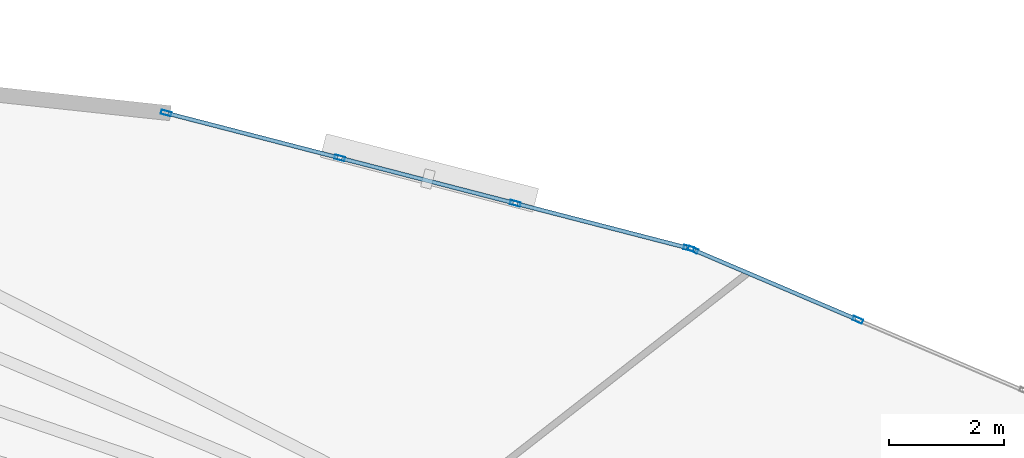
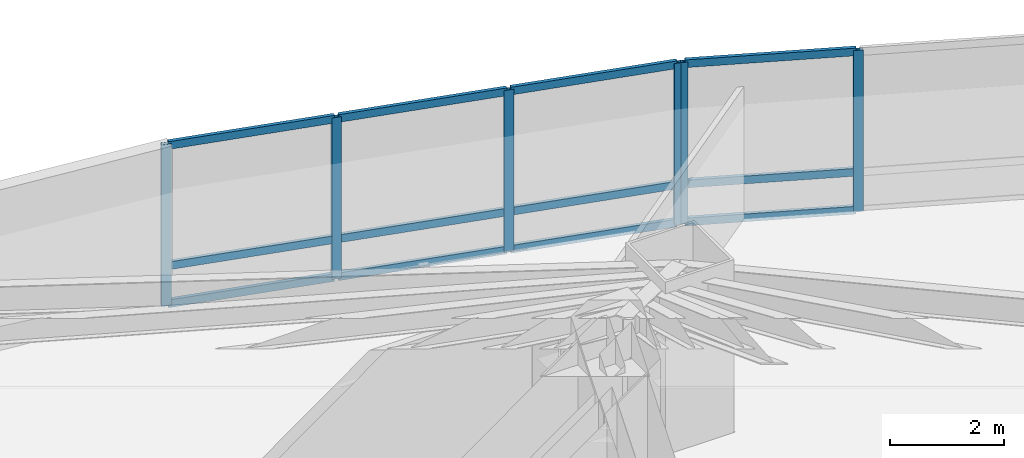
# One storey, part 10 of 20: 18 members, 2 elements without a shape of their own.
"""IFC4 building model written with IfcOpenShell, lengths in metres."""

from ifc_helpers import new_model, si_unit, direction, frame, origin, origin_2d, place, context, subcontext, project, spatial, hollow_rectangle, extrude, material, layer, layer_set, material_profile, profile_set, type_object, element, aggregate, save


model = new_model("IFC4")

# Units and contexts
model_context = context("Model", 3, precision=1e-05, world=origin(), true_north=direction((0.0, 1.0)))
body_context = subcontext(model_context, "Body", "Model", "MODEL_VIEW")
ifc_project = project(units=[si_unit("LENGTHUNIT", "METRE"), si_unit("AREAUNIT", "SQUARE_METRE"), si_unit("VOLUMEUNIT", "CUBIC_METRE"), si_unit("PLANEANGLEUNIT", "RADIAN"), si_unit("MASSUNIT", "GRAM", prefix="KILO")], contexts=[model_context])

# Site, building, storey
site_placement = place(None, origin())
site = spatial("IfcSite", under=ifc_project, at=site_placement, CompositionType="ELEMENT")
building_placement = place(site_placement, origin())
building = spatial("IfcBuilding", under=site, at=building_placement, Name="Menara Vayukalpa", CompositionType="ELEMENT")
storey_placement = place(building_placement, frame((0.0, 0.0, 61.080078125)))
storey = spatial("IfcBuildingStorey", under=building, at=storey_placement, Name="L14", CompositionType="ELEMENT", Elevation=61.080078125)

# Curtain wall, members
ifc_material_1 = material(Name="Anodised Terracotta Aluminium Alloy 6063-T6", Category="masonry")
ifc_layer = layer(ifc_material_1, 0.179931640625)
ifc_layer_set = layer_set([ifc_layer], Name="Anodised Terracotta Aluminium Alloy 6063-T6")
curtain_wall_type = type_object("IfcCurtainWallType", Name="CW-CW4", PredefinedType="USERDEFINED", material=ifc_layer_set)
curtain_wall_1_placement = place(storey_placement, origin())
curtain_wall_1 = element("IfcCurtainWall", 1, at=curtain_wall_1_placement, inside=storey, type_object=curtain_wall_type, Name="L14 Sky Bar Cantilever Glazed Curtain Wall CW4 04", ObjectType="UNITISED", PredefinedType="USERDEFINED")
ifc_material_2 = material(Name="Anodised Terracotta Aluminium Alloy 6063-T6", Category="masonry")
ifc_material_profile_1 = material_profile(ifc_material_2, hollow_rectangle(XDim=0.074951171875, YDim=0.179931640625, WallThickness=0.00390625, at=origin_2d()), Name="ALU 75x180x4")
ifc_profile_set_1 = profile_set([ifc_material_profile_1], Name="Anodised Terracotta Aluminium Alloy 6063-T6")
member_type_1 = type_object("IfcMemberType", Name="CWM-CW4", PredefinedType="MULLION", material=ifc_profile_set_1)
member_1_placement = place(storey_placement, frame((41.3125, 31.973388671875, 0.0), z_axis=(0.0, 0.0, 1.0), x_axis=(-0.392008132718, -0.919961751315, 0.0)))
member_1 = element("IfcMember", 2, at=member_1_placement, type_object=member_type_1, Name="CW4 mullion 3", PredefinedType="MULLION", context=body_context, shape_type="SweptSolid", body=[
    extrude(hollow_rectangle(XDim=0.074951171875, YDim=0.179931640625, WallThickness=0.00390625, at=origin_2d()), origin(), (0.0, 0.0, 1.0), 3.469970703125),
])
member_2_placement = place(storey_placement, frame((38.45458984375, 33.19140625, 0.0), z_axis=(0.0, 0.0, 1.0), x_axis=(-0.392008132718, -0.919961751315, 0.0)))
member_2 = element("IfcMember", 3, at=member_2_placement, type_object=member_type_1, Name="CW4 mullion 4", PredefinedType="MULLION", context=body_context, shape_type="SweptSolid", body=[
    extrude(hollow_rectangle(XDim=0.074951171875, YDim=0.179931640625, WallThickness=0.00390625, at=origin_2d()), origin(), (0.0, 0.0, 1.0), 3.469970703125),
])

curtain_wall_2_placement = place(storey_placement, origin())
curtain_wall_2 = element("IfcCurtainWall", 4, at=curtain_wall_2_placement, inside=storey, type_object=curtain_wall_type, Name="L14 Sky Bar Cantilever Glazed Curtain Wall CW4 05", ObjectType="UNITISED", PredefinedType="USERDEFINED")
member_3_placement = place(storey_placement, frame((38.3837890625, 33.21533203125, 0.0), z_axis=(0.0, 0.0, 1.0), x_axis=(-0.25040286747, -0.968141727209, 0.0)))
member_3 = element("IfcMember", 5, at=member_3_placement, type_object=member_type_1, Name="CW4 mullion 1", PredefinedType="MULLION", context=body_context, shape_type="SweptSolid", body=[
    extrude(hollow_rectangle(XDim=0.074951171875, YDim=0.179931640625, WallThickness=0.00390625, at=origin_2d()), origin(), (0.0, 0.0, 1.0), 3.469970703125),
])
member_4_placement = place(storey_placement, frame((35.376220703125, 33.993408203125, 0.0), z_axis=(0.0, 0.0, 1.0), x_axis=(-0.25040286747, -0.968141727209, 0.0)))
member_4 = element("IfcMember", 6, at=member_4_placement, type_object=member_type_1, Name="CW4 mullion 2", PredefinedType="MULLION", context=body_context, shape_type="SweptSolid", body=[
    extrude(hollow_rectangle(XDim=0.074951171875, YDim=0.179931640625, WallThickness=0.00390625, at=origin_2d()), origin(), (0.0, 0.0, 1.0), 3.469970703125),
])
member_5_placement = place(storey_placement, frame((32.332275390625, 34.780517578125, 0.0), z_axis=(0.0, 0.0, 1.0), x_axis=(-0.25040286747, -0.968141727209, 0.0)))
member_5 = element("IfcMember", 7, at=member_5_placement, type_object=member_type_1, Name="CW4 mullion 3", PredefinedType="MULLION", context=body_context, shape_type="SweptSolid", body=[
    extrude(hollow_rectangle(XDim=0.074951171875, YDim=0.179931640625, WallThickness=0.00390625, at=origin_2d()), origin(), (0.0, 0.0, 1.0), 3.469970703125),
])
member_6_placement = place(storey_placement, frame((29.324462890625, 35.55859375, 0.0), z_axis=(0.0, 0.0, 1.0), x_axis=(-0.25040286747, -0.968141727209, 0.0)))
member_6 = element("IfcMember", 8, at=member_6_placement, type_object=member_type_1, Name="CW4 mullion 4", PredefinedType="MULLION", context=body_context, shape_type="SweptSolid", body=[
    extrude(hollow_rectangle(XDim=0.074951171875, YDim=0.179931640625, WallThickness=0.00390625, at=origin_2d()), origin(), (0.0, 0.0, 1.0), 3.469970703125),
])

# Member
ifc_material_3 = material(Name="Anodised Terracotta Aluminium Alloy 6063-T6", Category="masonry")
ifc_material_profile_2 = material_profile(ifc_material_3, hollow_rectangle(XDim=0.070068359375, YDim=0.1650390625, WallThickness=0.00390625, at=origin_2d()), Name="ALU 70x165x4")
ifc_profile_set_2 = profile_set([ifc_material_profile_2], Name="Anodised Terracotta Aluminium Alloy 6063-T6")
member_type_2 = type_object("IfcMemberType", Name="CWT-CW4", PredefinedType="USERDEFINED", material=ifc_profile_set_2)
member_7_placement = place(storey_placement, frame((41.278076171875, 31.98828125, 0.034912109375), z_axis=(-0.919988490059, 0.391945376498, 0.0), x_axis=(-0.391945376498, -0.919988490059, 0.0)))
member_7 = element("IfcMember", 9, at=member_7_placement, type_object=member_type_2, Name="CW4 transom 3.1", ObjectType="TRANSOM", PredefinedType="USERDEFINED", context=body_context, shape_type="SweptSolid", body=[
    extrude(hollow_rectangle(XDim=0.070068359375, YDim=0.1650390625, WallThickness=0.00390625, at=origin_2d()), origin(), (0.0, 0.0, 1.0), 3.03173828125),
])

member_8_placement = place(storey_placement, frame((41.278076171875, 31.98828125, 0.849853515625), z_axis=(-0.919988490059, 0.391945376498, 0.0), x_axis=(-0.391945376498, -0.919988490059, 0.0)))
member_8 = element("IfcMember", 10, at=member_8_placement, type_object=member_type_2, Name="CW4 transom 3.2", ObjectType="TRANSOM", PredefinedType="USERDEFINED", context=body_context, shape_type="SweptSolid", body=[
    extrude(hollow_rectangle(XDim=0.070068359375, YDim=0.1650390625, WallThickness=0.00390625, at=origin_2d()), origin(), (0.0, 0.0, 1.0), 3.03173828125),
])

member_9_placement = place(storey_placement, frame((41.278076171875, 31.98828125, 3.434814453125), z_axis=(-0.919988490059, 0.391945376498, 0.0), x_axis=(-0.391945376498, -0.919988490059, 0.0)))
member_9 = element("IfcMember", 11, at=member_9_placement, type_object=member_type_2, Name="CW4 transom 3.3", ObjectType="TRANSOM", PredefinedType="USERDEFINED", context=body_context, shape_type="SweptSolid", body=[
    extrude(hollow_rectangle(XDim=0.070068359375, YDim=0.1650390625, WallThickness=0.00390625, at=origin_2d()), origin(), (0.0, 0.0, 1.0), 3.03173828125),
])

aggregate(curtain_wall_1, [member_1, member_2, member_7, member_8, member_9])

member_10_placement = place(storey_placement, frame((38.347412109375, 33.224853515625, 0.034912109375), z_axis=(-0.968149604166, 0.250372410527, 0.0), x_axis=(-0.250372410527, -0.968149604166, 0.0)))
member_10 = element("IfcMember", 12, at=member_10_placement, type_object=member_type_2, Name="CW4 transom 1.1", ObjectType="TRANSOM", PredefinedType="USERDEFINED", context=body_context, shape_type="SweptSolid", body=[
    extrude(hollow_rectangle(XDim=0.070068359375, YDim=0.1650390625, WallThickness=0.00390625, at=origin_2d()), origin(), (0.0, 0.0, 1.0), 3.03173828125),
])

member_11_placement = place(storey_placement, frame((38.347412109375, 33.224853515625, 0.849853515625), z_axis=(-0.968149604166, 0.250372410527, 0.0), x_axis=(-0.250372410527, -0.968149604166, 0.0)))
member_11 = element("IfcMember", 13, at=member_11_placement, type_object=member_type_2, Name="CW4 transom 1.2", ObjectType="TRANSOM", PredefinedType="USERDEFINED", context=body_context, shape_type="SweptSolid", body=[
    extrude(hollow_rectangle(XDim=0.070068359375, YDim=0.1650390625, WallThickness=0.00390625, at=origin_2d()), origin(), (0.0, 0.0, 1.0), 3.03173828125),
])

member_12_placement = place(storey_placement, frame((38.347412109375, 33.224853515625, 3.434814453125), z_axis=(-0.968149604166, 0.250372410527, 0.0), x_axis=(-0.250372410527, -0.968149604166, 0.0)))
member_12 = element("IfcMember", 14, at=member_12_placement, type_object=member_type_2, Name="CW4 transom 1.3", ObjectType="TRANSOM", PredefinedType="USERDEFINED", context=body_context, shape_type="SweptSolid", body=[
    extrude(hollow_rectangle(XDim=0.070068359375, YDim=0.1650390625, WallThickness=0.00390625, at=origin_2d()), origin(), (0.0, 0.0, 1.0), 3.03173828125),
])

member_13_placement = place(storey_placement, frame((35.33984375, 34.002685546875, 0.034912109375), z_axis=(-0.968140594701, 0.250407246086, 0.0), x_axis=(-0.250407246086, -0.968140594701, 0.0)))
member_13 = element("IfcMember", 15, at=member_13_placement, type_object=member_type_2, Name="CW4 transom 2.1", ObjectType="TRANSOM", PredefinedType="USERDEFINED", context=body_context, shape_type="SweptSolid", body=[
    extrude(hollow_rectangle(XDim=0.070068359375, YDim=0.1650390625, WallThickness=0.00390625, at=origin_2d()), origin(), (0.0, 0.0, 1.0), 3.0693359375),
])

member_14_placement = place(storey_placement, frame((35.33984375, 34.002685546875, 0.849853515625), z_axis=(-0.968140594701, 0.250407246086, 0.0), x_axis=(-0.250407246086, -0.968140594701, 0.0)))
member_14 = element("IfcMember", 16, at=member_14_placement, type_object=member_type_2, Name="CW4 transom 2.2", ObjectType="TRANSOM", PredefinedType="USERDEFINED", context=body_context, shape_type="SweptSolid", body=[
    extrude(hollow_rectangle(XDim=0.070068359375, YDim=0.1650390625, WallThickness=0.00390625, at=origin_2d()), origin(), (0.0, 0.0, 1.0), 3.0693359375),
])

member_15_placement = place(storey_placement, frame((35.33984375, 34.002685546875, 3.434814453125), z_axis=(-0.968140594701, 0.250407246086, 0.0), x_axis=(-0.250407246086, -0.968140594701, 0.0)))
member_15 = element("IfcMember", 17, at=member_15_placement, type_object=member_type_2, Name="CW4 transom 2.3", ObjectType="TRANSOM", PredefinedType="USERDEFINED", context=body_context, shape_type="SweptSolid", body=[
    extrude(hollow_rectangle(XDim=0.070068359375, YDim=0.1650390625, WallThickness=0.00390625, at=origin_2d()), origin(), (0.0, 0.0, 1.0), 3.0693359375),
])

member_16_placement = place(storey_placement, frame((32.2958984375, 34.7900390625, 0.034912109375), z_axis=(-0.968149604166, 0.250372410527, 0.0), x_axis=(-0.250372410527, -0.968149604166, 0.0)))
member_16 = element("IfcMember", 18, at=member_16_placement, type_object=member_type_2, Name="CW4 transom 3.1", ObjectType="TRANSOM", PredefinedType="USERDEFINED", context=body_context, shape_type="SweptSolid", body=[
    extrude(hollow_rectangle(XDim=0.070068359375, YDim=0.1650390625, WallThickness=0.00390625, at=origin_2d()), origin(), (0.0, 0.0, 1.0), 3.03173828125),
])

member_17_placement = place(storey_placement, frame((32.2958984375, 34.7900390625, 0.849853515625), z_axis=(-0.968149604166, 0.250372410527, 0.0), x_axis=(-0.250372410527, -0.968149604166, 0.0)))
member_17 = element("IfcMember", 19, at=member_17_placement, type_object=member_type_2, Name="CW4 transom 3.2", ObjectType="TRANSOM", PredefinedType="USERDEFINED", context=body_context, shape_type="SweptSolid", body=[
    extrude(hollow_rectangle(XDim=0.070068359375, YDim=0.1650390625, WallThickness=0.00390625, at=origin_2d()), origin(), (0.0, 0.0, 1.0), 3.03173828125),
])

member_18_placement = place(storey_placement, frame((32.2958984375, 34.7900390625, 3.434814453125), z_axis=(-0.968149604166, 0.250372410527, 0.0), x_axis=(-0.250372410527, -0.968149604166, 0.0)))
member_18 = element("IfcMember", 20, at=member_18_placement, type_object=member_type_2, Name="CW4 transom 3.3", ObjectType="TRANSOM", PredefinedType="USERDEFINED", context=body_context, shape_type="SweptSolid", body=[
    extrude(hollow_rectangle(XDim=0.070068359375, YDim=0.1650390625, WallThickness=0.00390625, at=origin_2d()), origin(), (0.0, 0.0, 1.0), 3.03173828125),
])

aggregate(curtain_wall_2, [member_3, member_4, member_5, member_6, member_10, member_11, member_12, member_13, member_14, member_15, member_16, member_17, member_18])

save(model, "model.ifc")
